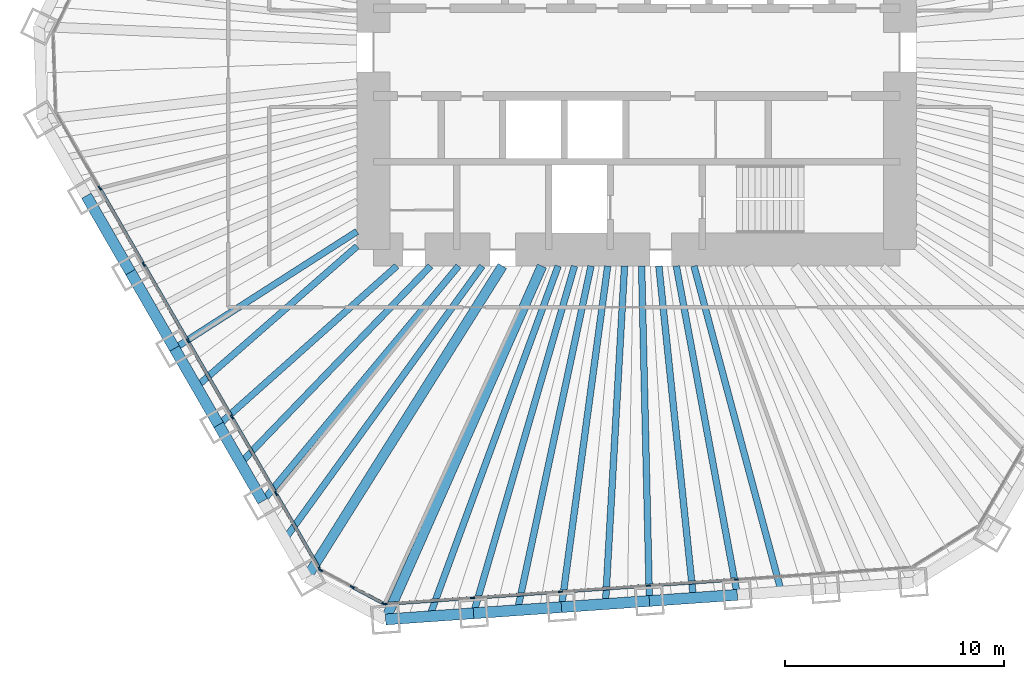
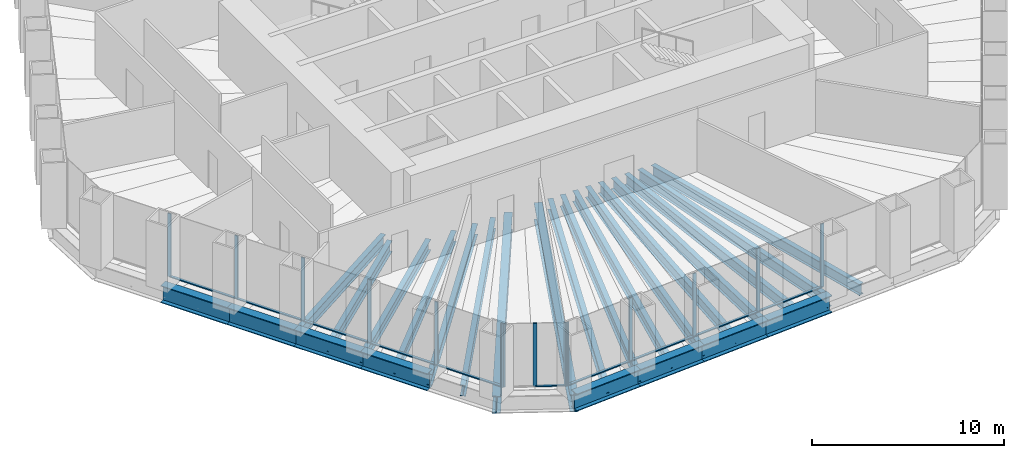
# One storey, part 2 of 13: 25 beams, 24 members, 3 elements without a shape of their own.
"""IFC4 building model written with IfcOpenShell, lengths in metres."""

from ifc_helpers import new_model, si_unit, direction, frame, origin, origin_2d, place, context, subcontext, project, spatial, rectangle, i_section, extrude, material, material_profile, profile_set, type_object, element, aggregate, save


model = new_model("IFC4")

# Units and contexts
model_context = context("Model", 3, precision=1e-05, world=origin(), true_north=direction((0.0, 1.0)))
body_context = subcontext(model_context, "Body", "Model", "MODEL_VIEW")
ifc_project = project(units=[si_unit("LENGTHUNIT", "METRE"), si_unit("AREAUNIT", "SQUARE_METRE"), si_unit("VOLUMEUNIT", "CUBIC_METRE"), si_unit("PLANEANGLEUNIT", "RADIAN"), si_unit("MASSUNIT", "GRAM", prefix="KILO")], contexts=[model_context])

# Site, building, storey
site_placement = place(None, origin())
site = spatial("IfcSite", under=ifc_project, at=site_placement, CompositionType="ELEMENT")
building_placement = place(site_placement, origin())
building = spatial("IfcBuilding", under=site, at=building_placement, Name="Qingtian Harvest Tower", CompositionType="ELEMENT")
storey_placement = place(building_placement, frame((0.0, 0.0, 157.60009765625)))
storey = spatial("IfcBuildingStorey", under=building, at=storey_placement, Name="L33", CompositionType="ELEMENT", Elevation=157.60009765625)

# Beams
ifc_material_1 = material(Name="Steel SM570MC", Category="steel")
ifc_material_profile_1 = material_profile(ifc_material_1, i_section(OverallWidth=0.449951171875, OverallDepth=1.10009765625, WebThickness=0.02197265625, FlangeThickness=0.044921875, at=origin_2d()), Name="H1100x450x22x45")
ifc_profile_set_1 = profile_set([ifc_material_profile_1], Name="Steel SM570MC")
beam_type_1 = type_object("IfcBeamType", Name="Corner floor beam FB8 H1100x450x22x45", PredefinedType="BEAM", material=ifc_profile_set_1)
beam_1_placement = place(storey_placement, frame((-11.445556640625, -25.861328125, -0.72021484375), z_axis=(0.404705702755, 0.914446988161, 0.0), x_axis=(-0.914446988161, 0.404705702755, 0.0)))
element("IfcBeam", 1, at=beam_1_placement, inside=storey, type_object=beam_type_1, Name="Floor beam FB8 S6", PredefinedType="BEAM", context=body_context, shape_type="SweptSolid", body=[
    extrude(i_section(OverallWidth=0.449951171875, OverallDepth=1.10009765625, WebThickness=0.02197265625, FlangeThickness=0.044921875, at=origin_2d()), origin(), (0.0, 0.0, 1.0), 17.61865234375),
])
beam_2_placement = place(storey_placement, frame((-15.039794921875, -23.950439453125, -0.72021484375), z_axis=(0.531797274443, 0.846871689747, 0.0), x_axis=(-0.846871689747, 0.531797274443, 0.0)))
element("IfcBeam", 2, at=beam_2_placement, inside=storey, type_object=beam_type_1, Name="Floor beam FB8 SW0", PredefinedType="BEAM", context=body_context, shape_type="SweptSolid", body=[
    extrude(i_section(OverallWidth=0.449951171875, OverallDepth=1.10009765625, WebThickness=0.02197265625, FlangeThickness=0.044921875, at=origin_2d()), origin(), (0.0, 0.0, 1.0), 16.76806640625),
])
ifc_material_2 = material(Name="Steel SN490B", Category="steel")
ifc_material_profile_2 = material_profile(ifc_material_2, i_section(OverallWidth=0.300048828125, OverallDepth=0.75, WebThickness=0.013916015625, FlangeThickness=0.02490234375, at=origin_2d()), Name="H750x300x14x25")
ifc_profile_set_2 = profile_set([ifc_material_profile_2], Name="Steel SN490B")
beam_type_2 = type_object("IfcBeamType", Name="Floor beam FB12 H750x300x14x25", PredefinedType="BEAM", material=ifc_profile_set_2)
beam_3_placement = place(storey_placement, frame((-7.436279296875, -25.5810546875, -0.545166015625), z_axis=(0.279142362954, 0.960249728562, 0.0), x_axis=(-0.960249728562, 0.279142362954, 0.0)))
element("IfcBeam", 3, at=beam_3_placement, inside=storey, type_object=beam_type_2, Name="Floor beam FB12 S5", PredefinedType="BEAM", context=body_context, shape_type="SweptSolid", body=[
    extrude(i_section(OverallWidth=0.300048828125, OverallDepth=0.75, WebThickness=0.013916015625, FlangeThickness=0.02490234375, at=origin_2d()), origin(), (0.0, 0.0, 1.0), 16.486328125),
])
ifc_material_3 = material(Name="Steel SN490B", Category="steel")
ifc_material_profile_3 = material_profile(ifc_material_3, i_section(OverallWidth=0.300048828125, OverallDepth=0.699951171875, WebThickness=0.012939453125, FlangeThickness=0.02392578125, at=origin_2d()), Name="H700x300x13x24")
ifc_profile_set_3 = profile_set([ifc_material_profile_3], Name="Steel SN490B")
beam_type_3 = type_object("IfcBeamType", Name="Floor beam FB2 H700x300x13x24", PredefinedType="BEAM", material=ifc_profile_set_3)
beam_4_placement = place(storey_placement, frame((4.591552734375, -24.739990234375, -0.52001953125), z_axis=(-0.182473442032, 0.983210782565, 0.0), x_axis=(-0.983210782565, -0.182473442032, 0.0)))
element("IfcBeam", 4, at=beam_4_placement, inside=storey, type_object=beam_type_3, Name="Floor beam FB2 S2", PredefinedType="BEAM", context=body_context, shape_type="SweptSolid", body=[
    extrude(i_section(OverallWidth=0.300048828125, OverallDepth=0.699951171875, WebThickness=0.012939453125, FlangeThickness=0.02392578125, at=origin_2d()), origin(), (0.0, 0.0, 1.0), 15.245849609375),
])
beam_5_placement = place(storey_placement, frame((0.582275390625, -25.020263671875, -0.52001953125), z_axis=(-0.023272189962, 0.999729165912, 0.0), x_axis=(-0.999729165912, -0.023272189962, 0.0)))
element("IfcBeam", 5, at=beam_5_placement, inside=storey, type_object=beam_type_3, Name="Floor beam FB2 S3", PredefinedType="BEAM", context=body_context, shape_type="SweptSolid", body=[
    extrude(i_section(OverallWidth=0.300048828125, OverallDepth=0.699951171875, WebThickness=0.012939453125, FlangeThickness=0.02392578125, at=origin_2d()), origin(), (0.0, 0.0, 1.0), 15.2744140625),
])
beam_6_placement = place(storey_placement, frame((-3.427001953125, -25.30078125, -0.52001953125), z_axis=(0.134230066005, 0.990950195207, 0.0), x_axis=(-0.990950195207, 0.134230066005, 0.0)))
element("IfcBeam", 6, at=beam_6_placement, inside=storey, type_object=beam_type_3, Name="Floor beam FB2 S4", PredefinedType="BEAM", context=body_context, shape_type="SweptSolid", body=[
    extrude(i_section(OverallWidth=0.300048828125, OverallDepth=0.699951171875, WebThickness=0.012939453125, FlangeThickness=0.02392578125, at=origin_2d()), origin(), (0.0, 0.0, 1.0), 15.69287109375),
])
beam_7_placement = place(storey_placement, frame((-17.04931640625, -20.4697265625, -0.52001953125), z_axis=(0.639988150605, 0.768384778015, 0.0), x_axis=(-0.768384778015, 0.639988150605, 0.0)))
element("IfcBeam", 7, at=beam_7_placement, inside=storey, type_object=beam_type_3, Name="Floor beam FB2 SW1", PredefinedType="BEAM", context=body_context, shape_type="SweptSolid", body=[
    extrude(i_section(OverallWidth=0.300048828125, OverallDepth=0.699951171875, WebThickness=0.012939453125, FlangeThickness=0.02392578125, at=origin_2d()), origin(), (0.0, 0.0, 1.0), 13.950927734375),
])
beam_8_placement = place(storey_placement, frame((-19.058837890625, -16.989013671875, -0.52001953125), z_axis=(0.746483707908, 0.665403692376, 0.0), x_axis=(-0.665403692376, 0.746483707908, 0.0)))
element("IfcBeam", 8, at=beam_8_placement, inside=storey, type_object=beam_type_3, Name="Floor beam FB2 SW2", PredefinedType="BEAM", context=body_context, shape_type="SweptSolid", body=[
    extrude(i_section(OverallWidth=0.300048828125, OverallDepth=0.699951171875, WebThickness=0.012939453125, FlangeThickness=0.02392578125, at=origin_2d()), origin(), (0.0, 0.0, 1.0), 10.879150390625),
])
beam_9_placement = place(storey_placement, frame((-21.068359375, -13.508544921875, -0.52001953125), z_axis=(0.841823295753, 0.539753220211, 0.0), x_axis=(-0.539753220211, 0.841823295753, 0.0)))
element("IfcBeam", 9, at=beam_9_placement, inside=storey, type_object=beam_type_3, Name="Floor beam FB2 SW3", PredefinedType="BEAM", context=body_context, shape_type="SweptSolid", body=[
    extrude(i_section(OverallWidth=0.300048828125, OverallDepth=0.699951171875, WebThickness=0.012939453125, FlangeThickness=0.02392578125, at=origin_2d()), origin(), (0.0, 0.0, 1.0), 9.88134765625),
])
ifc_material_4 = material(Name="Steel SN490B", Category="steel")
ifc_material_profile_4 = material_profile(ifc_material_4, i_section(OverallWidth=0.300048828125, OverallDepth=0.699951171875, WebThickness=0.012939453125, FlangeThickness=0.02392578125, at=origin_2d()), Name="H700x300x13x24")
ifc_profile_set_4 = profile_set([ifc_material_profile_4], Name="Steel SN490B")
beam_type_4 = type_object("IfcBeamType", Name="Floor joist J2 H700x300x13x24", PredefinedType="JOIST", material=ifc_profile_set_4)
beam_10_placement = place(storey_placement, frame((6.59619140625, -24.599853515625, -0.52001953125), z_axis=(-0.258996688759, 0.965878209306, 0.0), x_axis=(-0.965878209306, -0.258996688759, 0.0)))
element("IfcBeam", 10, at=beam_10_placement, inside=storey, type_object=beam_type_4, Name="Floor joist J2 S1", PredefinedType="JOIST", context=body_context, shape_type="SweptSolid", body=[
    extrude(i_section(OverallWidth=0.300048828125, OverallDepth=0.699951171875, WebThickness=0.012939453125, FlangeThickness=0.02392578125, at=origin_2d()), origin(), (0.0, 0.0, 1.0), 15.37451171875),
])
beam_11_placement = place(storey_placement, frame((2.5869140625, -24.880126953125, -0.52001953125), z_axis=(-0.103423163361, 0.994637446148, 0.0), x_axis=(-0.994637446148, -0.103423163361, 0.0)))
element("IfcBeam", 11, at=beam_11_placement, inside=storey, type_object=beam_type_4, Name="Floor joist J2 S2", PredefinedType="JOIST", context=body_context, shape_type="SweptSolid", body=[
    extrude(i_section(OverallWidth=0.300048828125, OverallDepth=0.699951171875, WebThickness=0.012939453125, FlangeThickness=0.02392578125, at=origin_2d()), origin(), (0.0, 0.0, 1.0), 15.211669921875),
])
beam_12_placement = place(storey_placement, frame((-1.42236328125, -25.160400390625, -0.52001953125), z_axis=(0.05643626267, 0.998406204035, 0.0), x_axis=(-0.998406204035, 0.05643626267, 0.0)))
element("IfcBeam", 12, at=beam_12_placement, inside=storey, type_object=beam_type_4, Name="Floor joist J2 S3", PredefinedType="JOIST", context=body_context, shape_type="SweptSolid", body=[
    extrude(i_section(OverallWidth=0.300048828125, OverallDepth=0.699951171875, WebThickness=0.012939453125, FlangeThickness=0.02392578125, at=origin_2d()), origin(), (0.0, 0.0, 1.0), 15.43505859375),
])
beam_13_placement = place(storey_placement, frame((-5.431640625, -25.44091796875, -0.52001953125), z_axis=(0.208799533611, 0.977958462699, 0.0), x_axis=(-0.977958462699, 0.208799533611, 0.0)))
element("IfcBeam", 13, at=beam_13_placement, inside=storey, type_object=beam_type_4, Name="Floor joist J2 S4", PredefinedType="JOIST", context=body_context, shape_type="SweptSolid", body=[
    extrude(i_section(OverallWidth=0.300048828125, OverallDepth=0.699951171875, WebThickness=0.012939453125, FlangeThickness=0.02392578125, at=origin_2d()), origin(), (0.0, 0.0, 1.0), 16.044677734375),
])
beam_14_placement = place(storey_placement, frame((-9.44091796875, -25.72119140625, -0.52001953125), z_axis=(0.344563279886, 0.938763093732, 0.0), x_axis=(-0.938763093732, 0.344563279886, 0.0)))
element("IfcBeam", 14, at=beam_14_placement, inside=storey, type_object=beam_type_4, Name="Floor joist J2 S5", PredefinedType="JOIST", context=body_context, shape_type="SweptSolid", body=[
    extrude(i_section(OverallWidth=0.300048828125, OverallDepth=0.699951171875, WebThickness=0.012939453125, FlangeThickness=0.02392578125, at=origin_2d()), origin(), (0.0, 0.0, 1.0), 17.012939453125),
])
beam_15_placement = place(storey_placement, frame((-16.04443359375, -22.2099609375, -0.52001953125), z_axis=(0.585581016658, 0.810613886465, 0.0), x_axis=(-0.810613886465, 0.585581016658, 0.0)))
element("IfcBeam", 15, at=beam_15_placement, inside=storey, type_object=beam_type_4, Name="Floor joist J2 SW0", PredefinedType="JOIST", context=body_context, shape_type="SweptSolid", body=[
    extrude(i_section(OverallWidth=0.300048828125, OverallDepth=0.699951171875, WebThickness=0.012939453125, FlangeThickness=0.02392578125, at=origin_2d()), origin(), (0.0, 0.0, 1.0), 15.37109375),
])
beam_16_placement = place(storey_placement, frame((-18.053955078125, -18.7294921875, -0.52001953125), z_axis=(0.693999346894, 0.719975629108, 0.0), x_axis=(-0.719975629108, 0.693999346894, 0.0)))
element("IfcBeam", 16, at=beam_16_placement, inside=storey, type_object=beam_type_4, Name="Floor joist J2 SW1", PredefinedType="JOIST", context=body_context, shape_type="SweptSolid", body=[
    extrude(i_section(OverallWidth=0.300048828125, OverallDepth=0.699951171875, WebThickness=0.012939453125, FlangeThickness=0.02392578125, at=origin_2d()), origin(), (0.0, 0.0, 1.0), 12.471923828125),
])
beam_17_placement = place(storey_placement, frame((-20.063720703125, -15.248779296875, -0.52001953125), z_axis=(0.752618713562, 0.658456583228, 0.0), x_axis=(-0.658456583228, 0.752618713562, 0.0)))
element("IfcBeam", 17, at=beam_17_placement, inside=storey, type_object=beam_type_4, Name="Floor joist J2 SW2", PredefinedType="JOIST", context=body_context, shape_type="SweptSolid", body=[
    extrude(i_section(OverallWidth=0.300048828125, OverallDepth=0.699951171875, WebThickness=0.012939453125, FlangeThickness=0.02392578125, at=origin_2d()), origin(), (0.0, 0.0, 1.0), 9.7177734375),
])

# Curtain wall, members
ifc_material_5 = material(Name="Bronze-anodised aluminium curtain wall", Category="aluminium")
curtain_wall_type = type_object("IfcCurtainWallType", Name="Curtain wall CW4 office", PredefinedType="USERDEFINED", material=ifc_material_5)
curtain_wall_1_placement = place(storey_placement, origin())
curtain_wall_1 = element("IfcCurtainWall", 18, at=curtain_wall_1_placement, inside=storey, type_object=curtain_wall_type, Name="Curtain wall CW4 L33 S0-5", ObjectType="RECESSED CURTAIN WALL", PredefinedType="USERDEFINED")
ifc_material_6 = material(Name="Bronze-anodised aluminium mullion", Category="aluminium")
ifc_material_profile_5 = material_profile(ifc_material_6, rectangle(XDim=0.06494140625, YDim=0.199951171875, at=origin_2d()), Name="AL 65x200")
ifc_profile_set_5 = profile_set([ifc_material_profile_5], Name="Bronze-anodised aluminium mullion")
member_type_1 = type_object("IfcMemberType", Name="Mullion CWM 65x200", PredefinedType="MULLION", material=ifc_profile_set_5)
member_1_placement = place(storey_placement, frame((4.542724609375, -24.041748046875, 0.0), z_axis=(0.0, 0.0, 1.0), x_axis=(0.069756473744, -0.99756405026, 0.0)))
member_1 = element("IfcMember", 19, at=member_1_placement, type_object=member_type_1, Name="CW4 mullion 3", PredefinedType="MULLION", context=body_context, shape_type="SweptSolid", body=[
    extrude(rectangle(XDim=0.06494140625, YDim=0.199951171875, at=origin_2d()), origin(), (0.0, 0.0, 1.0), 4.02978515625),
])
member_2_placement = place(storey_placement, frame((0.533447265625, -24.322021484375, 0.0), z_axis=(0.0, 0.0, 1.0), x_axis=(0.069756473744, -0.99756405026, 0.0)))
member_2 = element("IfcMember", 20, at=member_2_placement, type_object=member_type_1, Name="CW4 mullion 4", PredefinedType="MULLION", context=body_context, shape_type="SweptSolid", body=[
    extrude(rectangle(XDim=0.06494140625, YDim=0.199951171875, at=origin_2d()), origin(), (0.0, 0.0, 1.0), 4.02978515625),
])
member_3_placement = place(storey_placement, frame((-3.475830078125, -24.602294921875, 0.0), z_axis=(0.0, 0.0, 1.0), x_axis=(0.069756473744, -0.99756405026, 0.0)))
member_3 = element("IfcMember", 21, at=member_3_placement, type_object=member_type_1, Name="CW4 mullion 5", PredefinedType="MULLION", context=body_context, shape_type="SweptSolid", body=[
    extrude(rectangle(XDim=0.06494140625, YDim=0.199951171875, at=origin_2d()), origin(), (0.0, 0.0, 1.0), 4.02978515625),
])
member_4_placement = place(storey_placement, frame((-7.485107421875, -24.8828125, 0.0), z_axis=(0.0, 0.0, 1.0), x_axis=(0.069756473744, -0.99756405026, 0.0)))
member_4 = element("IfcMember", 22, at=member_4_placement, type_object=member_type_1, Name="CW4 mullion 6", PredefinedType="MULLION", context=body_context, shape_type="SweptSolid", body=[
    extrude(rectangle(XDim=0.06494140625, YDim=0.199951171875, at=origin_2d()), origin(), (0.0, 0.0, 1.0), 4.02978515625),
])
member_5_placement = place(storey_placement, frame((-11.4619140625, -25.160888671875, 0.0), z_axis=(0.0, 0.0, 1.0), x_axis=(0.069756473744, -0.99756405026, 0.0)))
member_5 = element("IfcMember", 23, at=member_5_placement, type_object=member_type_1, Name="CW4 mullion 7", PredefinedType="MULLION", context=body_context, shape_type="SweptSolid", body=[
    extrude(rectangle(XDim=0.06494140625, YDim=0.199951171875, at=origin_2d()), origin(), (0.0, 0.0, 1.0), 4.02978515625),
])

curtain_wall_2_placement = place(storey_placement, origin())
curtain_wall_2 = element("IfcCurtainWall", 24, at=curtain_wall_2_placement, inside=storey, type_object=curtain_wall_type, Name="Curtain wall CW4 L33 SC", ObjectType="RECESSED CURTAIN WALL", PredefinedType="USERDEFINED")
member_6_placement = place(storey_placement, frame((-11.523193359375, -25.14794921875, 0.0), z_axis=(0.0, 0.0, 1.0), x_axis=(-0.469471562786, -0.882947592859, 0.0)))
member_6 = element("IfcMember", 25, at=member_6_placement, type_object=member_type_1, Name="CW4 mullion 1", PredefinedType="MULLION", context=body_context, shape_type="SweptSolid", body=[
    extrude(rectangle(XDim=0.06494140625, YDim=0.199951171875, at=origin_2d()), origin(), (0.0, 0.0, 1.0), 4.02978515625),
])
member_7_placement = place(storey_placement, frame((-12.964111328125, -24.3818359375, 0.0), z_axis=(0.0, 0.0, 1.0), x_axis=(-0.469471562786, -0.882947592859, 0.0)))
member_7 = element("IfcMember", 26, at=member_7_placement, type_object=member_type_1, Name="CW4 mullion 2", PredefinedType="MULLION", context=body_context, shape_type="SweptSolid", body=[
    extrude(rectangle(XDim=0.06494140625, YDim=0.199951171875, at=origin_2d()), origin(), (0.0, 0.0, 1.0), 4.02978515625),
])
member_8_placement = place(storey_placement, frame((-14.40478515625, -23.61572265625, 0.0), z_axis=(0.0, 0.0, 1.0), x_axis=(-0.469471562786, -0.882947592859, 0.0)))
member_8 = element("IfcMember", 27, at=member_8_placement, type_object=member_type_1, Name="CW4 mullion 3", PredefinedType="MULLION", context=body_context, shape_type="SweptSolid", body=[
    extrude(rectangle(XDim=0.06494140625, YDim=0.199951171875, at=origin_2d()), origin(), (0.0, 0.0, 1.0), 4.02978515625),
])

curtain_wall_3_placement = place(storey_placement, origin())
curtain_wall_3 = element("IfcCurtainWall", 28, at=curtain_wall_3_placement, inside=storey, type_object=curtain_wall_type, Name="Curtain wall CW4 L33 SW0-5", ObjectType="RECESSED CURTAIN WALL", PredefinedType="USERDEFINED")
member_9_placement = place(storey_placement, frame((-14.44970703125, -23.572265625, 0.0), z_axis=(0.0, 0.0, 1.0), x_axis=(-0.866025403784, -0.5, 0.0)))
member_9 = element("IfcMember", 29, at=member_9_placement, type_object=member_type_1, Name="CW4 mullion 1", PredefinedType="MULLION", context=body_context, shape_type="SweptSolid", body=[
    extrude(rectangle(XDim=0.06494140625, YDim=0.199951171875, at=origin_2d()), origin(), (0.0, 0.0, 1.0), 4.02978515625),
])
member_10_placement = place(storey_placement, frame((-16.443115234375, -20.11962890625, 0.0), z_axis=(0.0, 0.0, 1.0), x_axis=(-0.866025403784, -0.5, 0.0)))
member_10 = element("IfcMember", 30, at=member_10_placement, type_object=member_type_1, Name="CW4 mullion 2", PredefinedType="MULLION", context=body_context, shape_type="SweptSolid", body=[
    extrude(rectangle(XDim=0.06494140625, YDim=0.199951171875, at=origin_2d()), origin(), (0.0, 0.0, 1.0), 4.02978515625),
])
member_11_placement = place(storey_placement, frame((-18.45263671875, -16.63916015625, 0.0), z_axis=(0.0, 0.0, 1.0), x_axis=(-0.866025403784, -0.5, 0.0)))
member_11 = element("IfcMember", 31, at=member_11_placement, type_object=member_type_1, Name="CW4 mullion 3", PredefinedType="MULLION", context=body_context, shape_type="SweptSolid", body=[
    extrude(rectangle(XDim=0.06494140625, YDim=0.199951171875, at=origin_2d()), origin(), (0.0, 0.0, 1.0), 4.02978515625),
])
member_12_placement = place(storey_placement, frame((-20.462158203125, -13.158447265625, 0.0), z_axis=(0.0, 0.0, 1.0), x_axis=(-0.866025403784, -0.5, 0.0)))
member_12 = element("IfcMember", 32, at=member_12_placement, type_object=member_type_1, Name="CW4 mullion 4", PredefinedType="MULLION", context=body_context, shape_type="SweptSolid", body=[
    extrude(rectangle(XDim=0.06494140625, YDim=0.199951171875, at=origin_2d()), origin(), (0.0, 0.0, 1.0), 4.02978515625),
])
member_13_placement = place(storey_placement, frame((-22.4716796875, -9.677978515625, 0.0), z_axis=(0.0, 0.0, 1.0), x_axis=(-0.866025403784, -0.5, 0.0)))
member_13 = element("IfcMember", 33, at=member_13_placement, type_object=member_type_1, Name="CW4 mullion 5", PredefinedType="MULLION", context=body_context, shape_type="SweptSolid", body=[
    extrude(rectangle(XDim=0.06494140625, YDim=0.199951171875, at=origin_2d()), origin(), (0.0, 0.0, 1.0), 4.02978515625),
])
member_14_placement = place(storey_placement, frame((-24.481201171875, -6.197265625, 0.0), z_axis=(0.0, 0.0, 1.0), x_axis=(-0.866025403784, -0.5, 0.0)))
member_14 = element("IfcMember", 34, at=member_14_placement, type_object=member_type_1, Name="CW4 mullion 6", PredefinedType="MULLION", context=body_context, shape_type="SweptSolid", body=[
    extrude(rectangle(XDim=0.06494140625, YDim=0.199951171875, at=origin_2d()), origin(), (0.0, 0.0, 1.0), 4.02978515625),
])

# Beams
ifc_material_7 = material(Name="Steel SM570MC", Category="steel")
ifc_material_profile_6 = material_profile(ifc_material_7, i_section(OverallWidth=0.5, OverallDepth=1.10009765625, WebThickness=0.02490234375, FlangeThickness=0.050048828125, at=origin_2d()), Name="H1100x500x25x50")
ifc_profile_set_6 = profile_set([ifc_material_profile_6], Name="Steel SM570MC")
beam_type_5 = type_object("IfcBeamType", Name="Spandrel beam SB2 H1100x500x25x50", PredefinedType="SPANDREL", material=ifc_profile_set_6)
for number, where, z_axis, x_axis, name in (
    (35, (4.591552734375, -24.739990234375, -0.550048828125), (-0.997565479251, -0.069736035208, 0.0), (0.069736035208, -0.997565479251, 0.0), "Spandrel SB2 S2"),
    (36, (0.582275390625, -25.020263671875, -0.550048828125), (-0.997561251588, -0.069796485086, 0.0), (0.069796485086, -0.997561251588, 0.0), "Spandrel SB2 S3"),
    (37, (-3.427001953125, -25.30078125, -0.550048828125), (-0.997565479251, -0.069736035208, 0.0), (0.069736035208, -0.997565479251, 0.0), "Spandrel SB2 S4"),
    (38, (-7.436279296875, -25.5810546875, -0.550048828125), (-0.997565479251, -0.069736035208, 0.0), (0.069736035208, -0.997565479251, 0.0), "Spandrel SB2 S5"),
    (39, (-17.04931640625, -20.4697265625, -0.550048828125), (-0.499987116613, 0.866032841884, 0.0), (-0.866032841884, -0.499987116613, 0.0), "Spandrel SB2 SW1"),
    (40, (-19.058837890625, -16.989013671875, -0.550048828125), (-0.500013420409, 0.866017655369, 0.0), (-0.866017655369, -0.500013420409, 0.0), "Spandrel SB2 SW2"),
    (41, (-21.068359375, -13.508544921875, -0.550048828125), (-0.499987116613, 0.866032841884, 0.0), (-0.866032841884, -0.499987116613, 0.0), "Spandrel SB2 SW3"),
    (42, (-23.077880859375, -10.02783203125, -0.550048828125), (-0.499987116613, 0.866032841884, 0.0), (-0.866032841884, -0.499987116613, 0.0), "Spandrel SB2 SW4"),
):
    element("IfcBeam", number, at=place(storey_placement, frame(where, z_axis=z_axis, x_axis=x_axis)), inside=storey, type_object=beam_type_5, Name=name, PredefinedType="SPANDREL", context=body_context, shape_type="SweptSolid", body=[
        extrude(i_section(OverallWidth=0.5, OverallDepth=1.10009765625, WebThickness=0.02490234375, FlangeThickness=0.050048828125, at=origin_2d()), origin(), (0.0, 0.0, 1.0), 4.01904296875),
    ])

# Member
ifc_material_8 = material(Name="Bronze-anodised aluminium transom", Category="aluminium")
ifc_material_profile_7 = material_profile(ifc_material_8, rectangle(XDim=0.14990234375, YDim=0.06494140625, at=origin_2d()), Name="AL 65x150")
ifc_profile_set_7 = profile_set([ifc_material_profile_7], Name="Bronze-anodised aluminium transom")
member_type_2 = type_object("IfcMemberType", Name="Transom CWT 65x150", PredefinedType="USERDEFINED", material=ifc_profile_set_7)
member_15_placement = place(storey_placement, frame((4.51025390625, -24.0439453125, 0.032470703125), z_axis=(-0.997562922571, -0.069772598571, 0.0), x_axis=(0.069772598571, -0.997562922571, 0.0)))
member_15 = element("IfcMember", 43, at=member_15_placement, type_object=member_type_2, Name="CW4 transom 3.1", ObjectType="TRANSOM", PredefinedType="USERDEFINED", context=body_context, shape_type="SweptSolid", body=[
    extrude(rectangle(XDim=0.14990234375, YDim=0.06494140625, at=origin_2d()), origin(), (0.0, 0.0, 1.0), 3.953857421875),
])

member_16_placement = place(storey_placement, frame((0.5009765625, -24.32421875, 0.032470703125), z_axis=(-0.997562922571, -0.069772598571, 0.0), x_axis=(0.069772598571, -0.997562922571, 0.0)))
member_16 = element("IfcMember", 44, at=member_16_placement, type_object=member_type_2, Name="CW4 transom 4.1", ObjectType="TRANSOM", PredefinedType="USERDEFINED", context=body_context, shape_type="SweptSolid", body=[
    extrude(rectangle(XDim=0.14990234375, YDim=0.06494140625, at=origin_2d()), origin(), (0.0, 0.0, 1.0), 3.953857421875),
])

member_17_placement = place(storey_placement, frame((-3.50830078125, -24.604736328125, 0.032470703125), z_axis=(-0.997567218353, -0.069711153102, 0.0), x_axis=(0.069711153102, -0.997567218353, 0.0)))
member_17 = element("IfcMember", 45, at=member_17_placement, type_object=member_type_2, Name="CW4 transom 5.1", ObjectType="TRANSOM", PredefinedType="USERDEFINED", context=body_context, shape_type="SweptSolid", body=[
    extrude(rectangle(XDim=0.14990234375, YDim=0.06494140625, at=origin_2d()), origin(), (0.0, 0.0, 1.0), 3.953857421875),
])

member_18_placement = place(storey_placement, frame((-7.517578125, -24.885009765625, 0.032470703125), z_axis=(-0.997561915105, -0.069787001175, 0.0), x_axis=(0.069787001175, -0.997561915105, 0.0)))
member_18 = element("IfcMember", 46, at=member_18_placement, type_object=member_type_2, Name="CW4 transom 6.1", ObjectType="TRANSOM", PredefinedType="USERDEFINED", context=body_context, shape_type="SweptSolid", body=[
    extrude(rectangle(XDim=0.14990234375, YDim=0.06494140625, at=origin_2d()), origin(), (0.0, 0.0, 1.0), 3.921630859375),
])

aggregate(curtain_wall_1, [member_1, member_2, member_3, member_4, member_5, member_15, member_16, member_17, member_18])

member_19_placement = place(storey_placement, frame((-11.5517578125, -25.132568359375, 0.032470703125), z_axis=(-0.882960338349, 0.46944759122, 0.0), x_axis=(-0.46944759122, -0.882960338349, 0.0)))
member_19 = element("IfcMember", 47, at=member_19_placement, type_object=member_type_2, Name="CW4 transom 1.1", ObjectType="TRANSOM", PredefinedType="USERDEFINED", context=body_context, shape_type="SweptSolid", body=[
    extrude(rectangle(XDim=0.14990234375, YDim=0.06494140625, at=origin_2d()), origin(), (0.0, 0.0, 1.0), 1.56689453125),
])

aggregate(curtain_wall_2, [member_6, member_7, member_8, member_19])

member_20_placement = place(storey_placement, frame((-14.466064453125, -23.5439453125, 0.032470703125), z_axis=(-0.500002696854, 0.866023846749, 0.0), x_axis=(-0.866023846749, -0.500002696854, 0.0)))
member_20 = element("IfcMember", 48, at=member_20_placement, type_object=member_type_2, Name="CW4 transom 1.1", ObjectType="TRANSOM", PredefinedType="USERDEFINED", context=body_context, shape_type="SweptSolid", body=[
    extrude(rectangle(XDim=0.14990234375, YDim=0.06494140625, at=origin_2d()), origin(), (0.0, 0.0, 1.0), 3.92138671875),
])

member_21_placement = place(storey_placement, frame((-16.459228515625, -20.091552734375, 0.032470703125), z_axis=(-0.500003941941, 0.866023127892, 0.0), x_axis=(-0.866023127892, -0.500003941941, 0.0)))
member_21 = element("IfcMember", 49, at=member_21_placement, type_object=member_type_2, Name="CW4 transom 2.1", ObjectType="TRANSOM", PredefinedType="USERDEFINED", context=body_context, shape_type="SweptSolid", body=[
    extrude(rectangle(XDim=0.14990234375, YDim=0.06494140625, at=origin_2d()), origin(), (0.0, 0.0, 1.0), 3.9541015625),
])

member_22_placement = place(storey_placement, frame((-18.468994140625, -16.611083984375, 0.032470703125), z_axis=(-0.49993089783, 0.866065296265, 0.0), x_axis=(-0.866065296265, -0.49993089783, 0.0)))
member_22 = element("IfcMember", 50, at=member_22_placement, type_object=member_type_2, Name="CW4 transom 3.1", ObjectType="TRANSOM", PredefinedType="USERDEFINED", context=body_context, shape_type="SweptSolid", body=[
    extrude(rectangle(XDim=0.14990234375, YDim=0.06494140625, at=origin_2d()), origin(), (0.0, 0.0, 1.0), 3.9541015625),
])

member_23_placement = place(storey_placement, frame((-20.478515625, -13.13037109375, 0.032470703125), z_axis=(-0.500003941941, 0.866023127892, 0.0), x_axis=(-0.866023127892, -0.500003941941, 0.0)))
member_23 = element("IfcMember", 51, at=member_23_placement, type_object=member_type_2, Name="CW4 transom 4.1", ObjectType="TRANSOM", PredefinedType="USERDEFINED", context=body_context, shape_type="SweptSolid", body=[
    extrude(rectangle(XDim=0.14990234375, YDim=0.06494140625, at=origin_2d()), origin(), (0.0, 0.0, 1.0), 3.9541015625),
])

member_24_placement = place(storey_placement, frame((-22.488037109375, -9.649658203125, 0.032470703125), z_axis=(-0.500003941941, 0.866023127892, 0.0), x_axis=(-0.866023127892, -0.500003941941, 0.0)))
member_24 = element("IfcMember", 52, at=member_24_placement, type_object=member_type_2, Name="CW4 transom 5.1", ObjectType="TRANSOM", PredefinedType="USERDEFINED", context=body_context, shape_type="SweptSolid", body=[
    extrude(rectangle(XDim=0.14990234375, YDim=0.06494140625, at=origin_2d()), origin(), (0.0, 0.0, 1.0), 3.9541015625),
])

aggregate(curtain_wall_3, [member_9, member_10, member_11, member_12, member_13, member_14, member_20, member_21, member_22, member_23, member_24])

save(model, "model.ifc")
